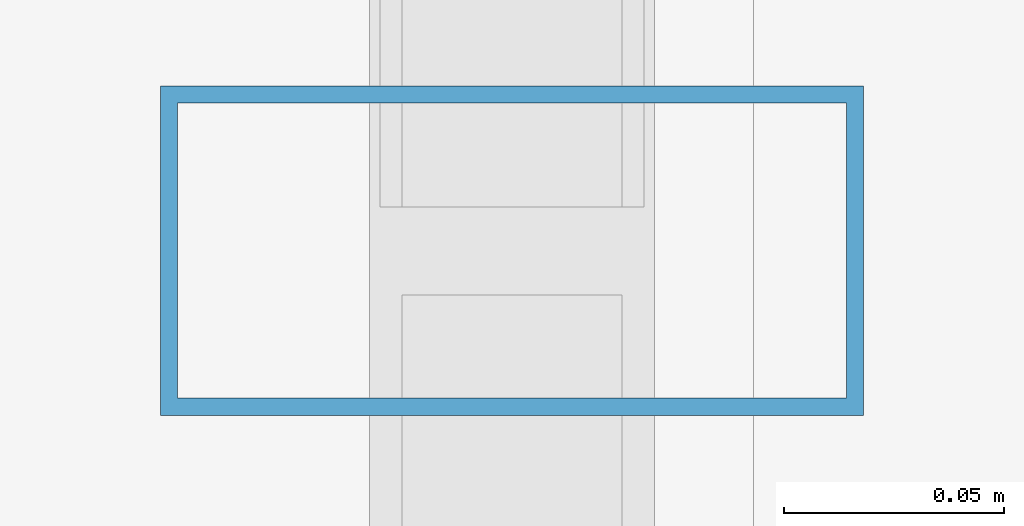
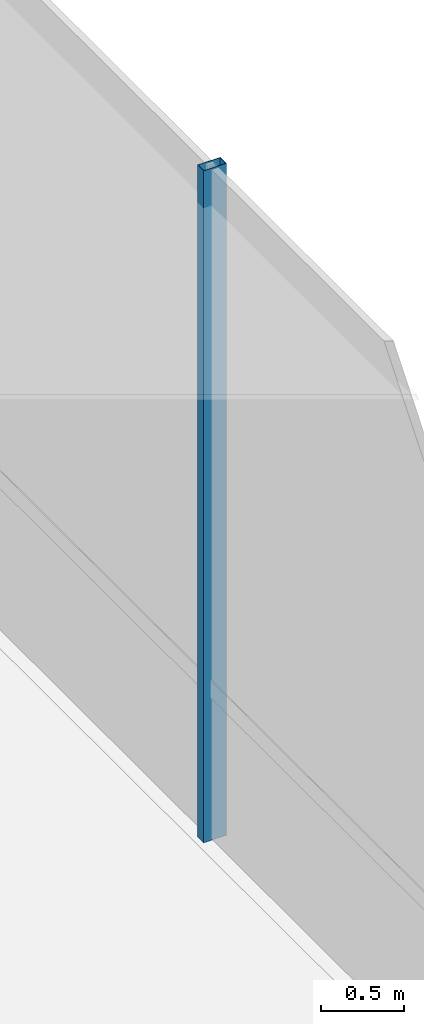
# One storey, part 22 of 41: 1 member, 1 element without a shape of its own.
"""IFC4 building model written with IfcOpenShell, lengths in metres."""

from ifc_helpers import new_model, si_unit, direction, frame, origin, origin_2d, place, context, subcontext, project, spatial, hollow_rectangle, extrude, source, transform, mapped, material, material_profile, profile_set, type_object, element, aggregate, save


model = new_model("IFC4")

# Units and contexts
model_context = context("Model", 3, precision=1e-05, world=origin(), true_north=direction((0.0, 1.0)))
body_context = subcontext(model_context, "Body", "Model", "MODEL_VIEW")
ifc_project = project(units=[si_unit("LENGTHUNIT", "METRE"), si_unit("AREAUNIT", "SQUARE_METRE"), si_unit("VOLUMEUNIT", "CUBIC_METRE"), si_unit("PLANEANGLEUNIT", "RADIAN"), si_unit("MASSUNIT", "GRAM", prefix="KILO")], contexts=[model_context])

# Site, building, storey
site_placement = place(None, origin())
site = spatial("IfcSite", under=ifc_project, at=site_placement, CompositionType="ELEMENT")
building_placement = place(site_placement, origin())
building = spatial("IfcBuilding", under=site, at=building_placement, Name="Valdorenza Pilgrim Sanctuary Tower", CompositionType="ELEMENT")
storey_placement = place(building_placement, frame((0.0, 0.0, 20.800048828125)))
storey = spatial("IfcBuildingStorey", under=building, at=storey_placement, Name="L04", CompositionType="ELEMENT", Elevation=20.800048828125)

# Curtain wall, member
ifc_material_1 = material(Name="Curtain-wall IGU glazing", Category="glass")
curtain_wall_type = type_object("IfcCurtainWallType", Name="CW-SYS-01", PredefinedType="NOTDEFINED", material=ifc_material_1)
curtain_wall_placement = place(storey_placement, origin())
curtain_wall = element("IfcCurtainWall", 1, at=curtain_wall_placement, inside=storey, type_object=curtain_wall_type, Name="L04 Curtain Wall CW-POD-L04-EE", PredefinedType="NOTDEFINED")
ifc_material_2 = material(Name="Anodised aluminium AW-6060", Category="aluminium")
ifc_material_profile = material_profile(ifc_material_2, hollow_rectangle(XDim=0.074951171875, YDim=0.159912109375, WallThickness=0.00390625, at=origin_2d()), Name="ALU-M 160x75x4")
ifc_profile_set = profile_set([ifc_material_profile], Name="Anodised aluminium AW-6060")
member_type = type_object("IfcMemberType", Name="CW-MUL-01", PredefinedType="MULLION", material=ifc_profile_set)
shared_shape = source(origin(), body_context, "Body", "SweptSolid", [
    extrude(hollow_rectangle(XDim=0.074951171875, YDim=0.159912109375, WallThickness=0.00390625, at=origin_2d()), origin(), (0.0, 0.0, 1.0), 4.9599609375),
])
member_placement = place(storey_placement, frame((33.85009765625, 4.666748046875, 0.0), z_axis=(0.0, 0.0, 1.0), x_axis=(0.0, 1.0, 0.0)))
member = element("IfcMember", 2, at=member_placement, type_object=member_type, Name="CW-POD-L04-EE Mullion 3", PredefinedType="MULLION", context=body_context, shape_type="MappedRepresentation", body=[
    mapped(shared_shape, transform((0.0, 0.0, 0.0), x_axis=(1.0, 0.0, 0.0), y_axis=(0.0, 1.0, 0.0), z_axis=(0.0, 0.0, 1.0), scale=1.0)),
])
aggregate(curtain_wall, [member])

save(model, "model.ifc")
